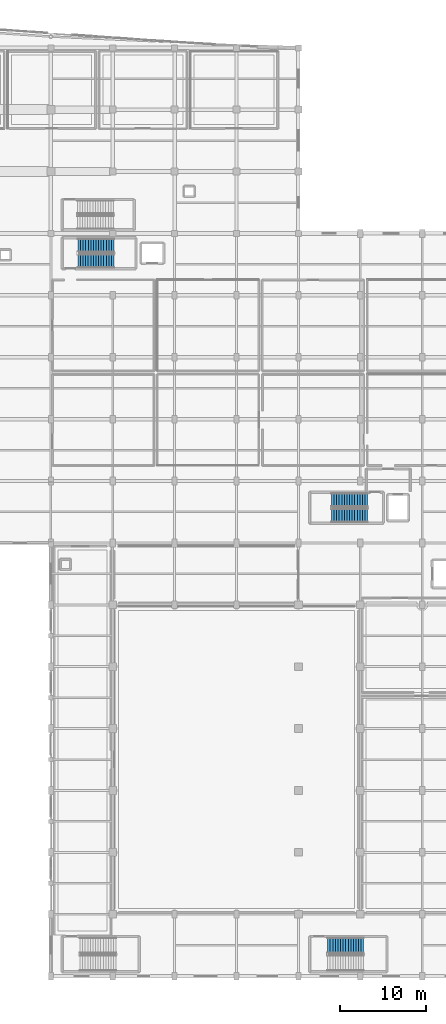
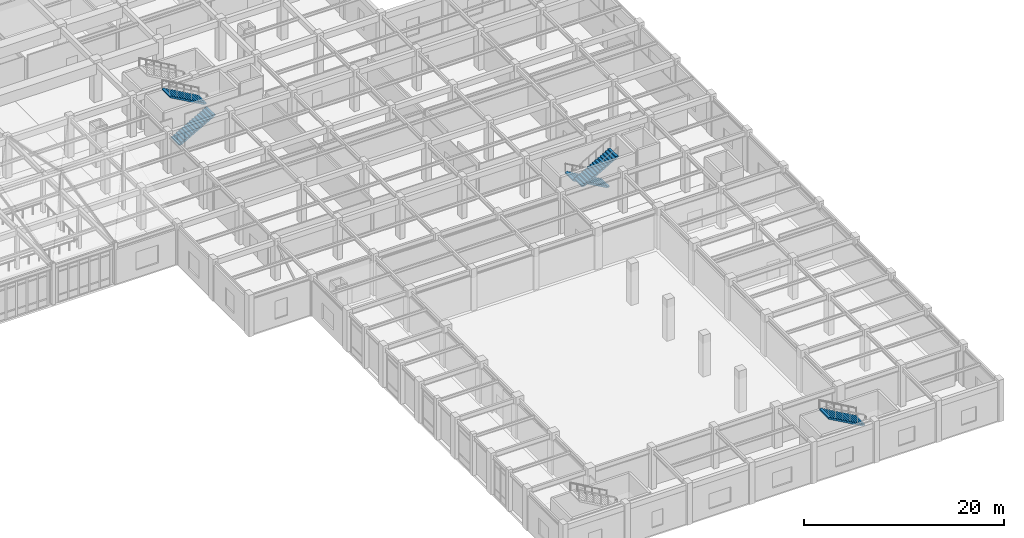
# One storey, part 98 of 117: 5 stair flights, 3 elements without a shape of their own.
"""IFC4 building model written with IfcOpenShell, lengths in metres."""

from ifc_helpers import new_model, si_unit, direction, frame, origin, place, context, subcontext, project, spatial, polyline, outline, extrude, material, type_object, element, aggregate, save


model = new_model("IFC4")

# Units and contexts
model_context = context("Model", 3, precision=1e-05, world=origin(), true_north=direction((0.0, 1.0)))
body_context = subcontext(model_context, "Body", "Model", "MODEL_VIEW")
ifc_project = project(units=[si_unit("LENGTHUNIT", "METRE"), si_unit("AREAUNIT", "SQUARE_METRE"), si_unit("VOLUMEUNIT", "CUBIC_METRE"), si_unit("PLANEANGLEUNIT", "RADIAN"), si_unit("MASSUNIT", "GRAM", prefix="KILO")], contexts=[model_context])

# Site, building, storey
site_placement = place(None, origin())
site = spatial("IfcSite", under=ifc_project, at=site_placement, CompositionType="ELEMENT")
building_placement = place(site_placement, origin())
building = spatial("IfcBuilding", under=site, at=building_placement, Name="Carrowvane Square Congress Hotel", CompositionType="ELEMENT")
storey_placement = place(building_placement, frame((0.0, 0.0, 5.39990234375)))
storey = spatial("IfcBuildingStorey", under=building, at=storey_placement, Name="L01", CompositionType="ELEMENT", Elevation=5.39990234375)

# Stair, stair flights
ifc_material_1 = material(Name="Concrete C35/45", Category="concrete")
stair_type_1 = type_object("IfcStairType", Name="STR-DOG-07", PredefinedType="HALF_TURN_STAIR", material=ifc_material_1)
stair_1_placement = place(storey_placement, origin())
stair_1 = element("IfcStair", 1, at=stair_1_placement, inside=storey, type_object=stair_type_1, Name="L01 Core C4 East Congress Firefighting Stair", PredefinedType="HALF_TURN_STAIR")
ifc_material_2 = material(Name="Concrete C35/45", Category="concrete")
stair_flight_type_1 = type_object("IfcStairFlightType", Name="SFL-STR-07", PredefinedType="STRAIGHT", material=ifc_material_2)
stair_flight_1_placement = place(storey_placement, frame((170.85009765625, 60.800048828125, 0.0), z_axis=(0.0, 0.0, 1.0), x_axis=(-1.0, 0.0, 0.0)))
stair_flight_1 = element("IfcStairFlight", 2, at=stair_flight_1_placement, type_object=stair_flight_type_1, Name="ST4 flight 1", NumberOfRisers=15, NumberOfTreads=14, PredefinedType="STRAIGHT", RiserHeight=0.17, TreadLength=0.3, context=body_context, shape_type="SweptSolid", body=[
    extrude(outline(polyline([(0.0, 0.0), (0.0, 0.169921875), (0.300048828125, 0.169921875), (0.300048828125, 0.340087890625), (0.60009765625, 0.340087890625), (0.60009765625, 0.510009765625), (0.89990234375, 0.510009765625), (0.89990234375, 0.679931640625), (1.199951171875, 0.679931640625), (1.199951171875, 0.85009765625), (1.5, 0.85009765625), (1.5, 1.02001953125), (1.800048828125, 1.02001953125), (1.800048828125, 1.18994140625), (2.10009765625, 1.18994140625), (2.10009765625, 1.360107421875), (2.39990234375, 1.360107421875), (2.39990234375, 1.530029296875), (2.699951171875, 1.530029296875), (2.699951171875, 1.699951171875), (3.0, 1.699951171875), (3.0, 1.8701171875), (3.300048828125, 1.8701171875), (3.300048828125, 2.0400390625), (3.60009765625, 2.0400390625), (3.60009765625, 2.2099609375), (3.89990234375, 2.2099609375), (3.89990234375, 2.3798828125), (4.199951171875, 2.3798828125), (4.199951171875, 2.550048828125), (4.199951171875, 2.207763671875), (0.303955078125, 0.0), (0.0, 0.0)])), frame((0.0, 0.800048828125, 0.0), z_axis=(0.0, -1.0, 0.0), x_axis=(1.0, 0.0, 0.0)), (0.0, 0.0, 1.0), 1.60009765625),
])
stair_flight_2_placement = place(storey_placement, frame((166.64990234375, 59.0, 2.550048828125), z_axis=(0.0, 0.0, 1.0), x_axis=(1.0, 0.0, 0.0)))
stair_flight_2 = element("IfcStairFlight", 3, at=stair_flight_2_placement, type_object=stair_flight_type_1, Name="ST4 flight 2", NumberOfRisers=15, NumberOfTreads=14, PredefinedType="STRAIGHT", RiserHeight=0.17, TreadLength=0.3, context=body_context, shape_type="SweptSolid", body=[
    extrude(outline(polyline([(0.0, 0.0), (0.0, 0.169921875), (0.300048828125, 0.169921875), (0.300048828125, 0.340087890625), (0.60009765625, 0.340087890625), (0.60009765625, 0.510009765625), (0.89990234375, 0.510009765625), (0.89990234375, 0.679931640625), (1.199951171875, 0.679931640625), (1.199951171875, 0.85009765625), (1.5, 0.85009765625), (1.5, 1.02001953125), (1.800048828125, 1.02001953125), (1.800048828125, 1.18994140625), (2.10009765625, 1.18994140625), (2.10009765625, 1.360107421875), (2.39990234375, 1.360107421875), (2.39990234375, 1.530029296875), (2.699951171875, 1.530029296875), (2.699951171875, 1.699951171875), (3.0, 1.699951171875), (3.0, 1.8701171875), (3.300048828125, 1.8701171875), (3.300048828125, 2.0400390625), (3.60009765625, 2.0400390625), (3.60009765625, 2.2099609375), (3.89990234375, 2.2099609375), (3.89990234375, 2.3798828125), (4.199951171875, 2.3798828125), (4.199951171875, 2.550048828125), (4.199951171875, 2.207763671875), (0.303955078125, 0.0), (0.0, 0.0)])), frame((0.0, 0.800048828125, 0.0), z_axis=(0.0, -1.0, 0.0), x_axis=(1.0, 0.0, 0.0)), (0.0, 0.0, 1.0), 1.60009765625),
])
aggregate(stair_1, [stair_flight_1, stair_flight_2])

stair_2_placement = place(storey_placement, origin())
stair_2 = element("IfcStair", 4, at=stair_2_placement, inside=storey, type_object=stair_type_1, Name="L01 Meeting Wing Escape Stair", PredefinedType="HALF_TURN_STAIR")
stair_flight_3_placement = place(storey_placement, frame((137.14990234375, 88.60009765625, 0.0), z_axis=(0.0, 0.0, 1.0), x_axis=(1.0, 0.0, 0.0)))
stair_flight_3 = element("IfcStairFlight", 5, at=stair_flight_3_placement, type_object=stair_flight_type_1, Name="ST8 flight 1", NumberOfRisers=15, NumberOfTreads=14, PredefinedType="STRAIGHT", RiserHeight=0.17, TreadLength=0.3, context=body_context, shape_type="SweptSolid", body=[
    extrude(outline(polyline([(0.0, 0.0), (0.0, 0.169921875), (0.300048828125, 0.169921875), (0.300048828125, 0.340087890625), (0.60009765625, 0.340087890625), (0.60009765625, 0.510009765625), (0.89990234375, 0.510009765625), (0.89990234375, 0.679931640625), (1.199951171875, 0.679931640625), (1.199951171875, 0.85009765625), (1.5, 0.85009765625), (1.5, 1.02001953125), (1.800048828125, 1.02001953125), (1.800048828125, 1.18994140625), (2.10009765625, 1.18994140625), (2.10009765625, 1.360107421875), (2.39990234375, 1.360107421875), (2.39990234375, 1.530029296875), (2.699951171875, 1.530029296875), (2.699951171875, 1.699951171875), (3.0, 1.699951171875), (3.0, 1.8701171875), (3.300048828125, 1.8701171875), (3.300048828125, 2.0400390625), (3.60009765625, 2.0400390625), (3.60009765625, 2.2099609375), (3.89990234375, 2.2099609375), (3.89990234375, 2.3798828125), (4.199951171875, 2.3798828125), (4.199951171875, 2.550048828125), (4.199951171875, 2.207763671875), (0.303955078125, 0.0), (0.0, 0.0)])), frame((0.0, 0.800048828125, 0.0), z_axis=(0.0, -1.0, 0.0), x_axis=(1.0, 0.0, 0.0)), (0.0, 0.0, 1.0), 1.60009765625),
])
stair_flight_4_placement = place(storey_placement, frame((141.35009765625, 90.39990234375, 2.550048828125), z_axis=(0.0, 0.0, 1.0), x_axis=(-1.0, 0.0, 0.0)))
stair_flight_4 = element("IfcStairFlight", 6, at=stair_flight_4_placement, type_object=stair_flight_type_1, Name="ST8 flight 2", NumberOfRisers=15, NumberOfTreads=14, PredefinedType="STRAIGHT", RiserHeight=0.17, TreadLength=0.3, context=body_context, shape_type="SweptSolid", body=[
    extrude(outline(polyline([(0.0, 0.0), (0.0, 0.169921875), (0.300048828125, 0.169921875), (0.300048828125, 0.340087890625), (0.60009765625, 0.340087890625), (0.60009765625, 0.510009765625), (0.89990234375, 0.510009765625), (0.89990234375, 0.679931640625), (1.199951171875, 0.679931640625), (1.199951171875, 0.85009765625), (1.5, 0.85009765625), (1.5, 1.02001953125), (1.800048828125, 1.02001953125), (1.800048828125, 1.18994140625), (2.10009765625, 1.18994140625), (2.10009765625, 1.360107421875), (2.39990234375, 1.360107421875), (2.39990234375, 1.530029296875), (2.699951171875, 1.530029296875), (2.699951171875, 1.699951171875), (3.0, 1.699951171875), (3.0, 1.8701171875), (3.300048828125, 1.8701171875), (3.300048828125, 2.0400390625), (3.60009765625, 2.0400390625), (3.60009765625, 2.2099609375), (3.89990234375, 2.2099609375), (3.89990234375, 2.3798828125), (4.199951171875, 2.3798828125), (4.199951171875, 2.550048828125), (4.199951171875, 2.207763671875), (0.303955078125, 0.0), (0.0, 0.0)])), frame((0.0, 0.800048828125, 0.0), z_axis=(0.0, -1.0, 0.0), x_axis=(1.0, 0.0, 0.0)), (0.0, 0.0, 1.0), 1.60009765625),
])
aggregate(stair_2, [stair_flight_3, stair_flight_4])

# Stair, stair flight
ifc_material_3 = material(Name="Concrete C35/45", Category="concrete")
stair_type_2 = type_object("IfcStairType", Name="STR-DOG-13", PredefinedType="HALF_TURN_STAIR", material=ifc_material_3)
stair_3_placement = place(storey_placement, origin())
stair_3 = element("IfcStair", 7, at=stair_3_placement, inside=storey, type_object=stair_type_2, Name="L01 Ballroom South-East Assembly Stair", PredefinedType="HALF_TURN_STAIR")
ifc_material_4 = material(Name="Concrete C35/45", Category="concrete")
stair_flight_type_2 = type_object("IfcStairFlightType", Name="SFL-STR-13", PredefinedType="STRAIGHT", material=ifc_material_4)
stair_flight_5_placement = place(storey_placement, frame((170.39990234375, 8.97509765625, 2.550048828125), z_axis=(0.0, 0.0, 1.0), x_axis=(-1.0, 0.0, 0.0)))
stair_flight_5 = element("IfcStairFlight", 8, at=stair_flight_5_placement, type_object=stair_flight_type_2, Name="ST11 flight 2", NumberOfRisers=15, NumberOfTreads=14, PredefinedType="STRAIGHT", RiserHeight=0.17, TreadLength=0.3, context=body_context, shape_type="SweptSolid", body=[
    extrude(outline(polyline([(0.0, 0.0), (0.0, 0.169921875), (0.300048828125, 0.169921875), (0.300048828125, 0.340087890625), (0.60009765625, 0.340087890625), (0.60009765625, 0.510009765625), (0.89990234375, 0.510009765625), (0.89990234375, 0.679931640625), (1.199951171875, 0.679931640625), (1.199951171875, 0.85009765625), (1.5, 0.85009765625), (1.5, 1.02001953125), (1.800048828125, 1.02001953125), (1.800048828125, 1.18994140625), (2.10009765625, 1.18994140625), (2.10009765625, 1.360107421875), (2.39990234375, 1.360107421875), (2.39990234375, 1.530029296875), (2.699951171875, 1.530029296875), (2.699951171875, 1.699951171875), (3.0, 1.699951171875), (3.0, 1.8701171875), (3.300048828125, 1.8701171875), (3.300048828125, 2.0400390625), (3.60009765625, 2.0400390625), (3.60009765625, 2.2099609375), (3.89990234375, 2.2099609375), (3.89990234375, 2.3798828125), (4.199951171875, 2.3798828125), (4.199951171875, 2.550048828125), (4.199951171875, 2.207763671875), (0.303955078125, 0.0), (0.0, 0.0)])), frame((0.0, 0.925048828125, 0.0), z_axis=(0.0, -1.0, 0.0), x_axis=(1.0, 0.0, 0.0)), (0.0, 0.0, 1.0), 1.85009765625),
])
aggregate(stair_3, [stair_flight_5])

save(model, "model.ifc")
